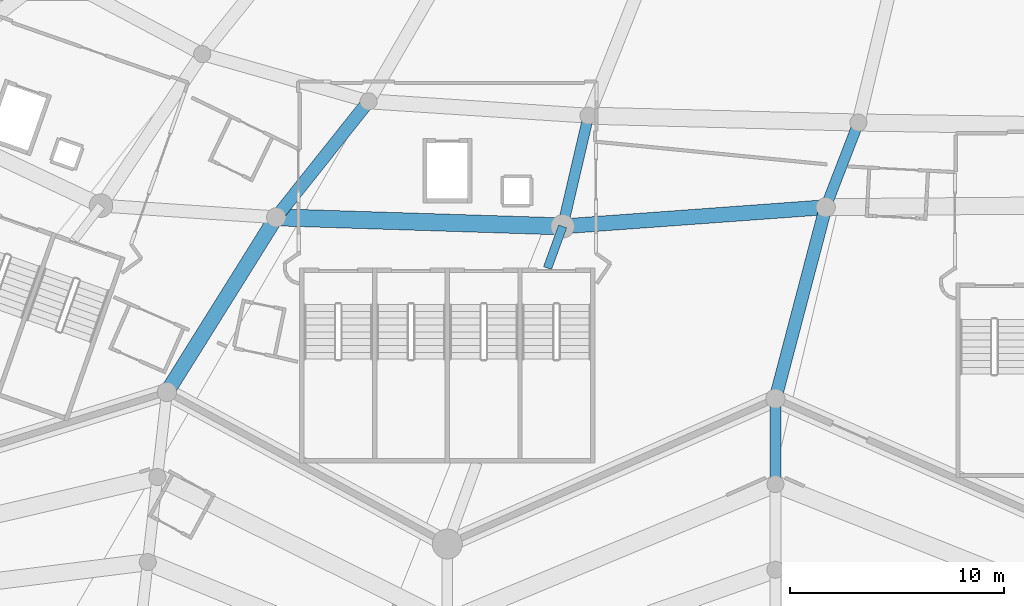
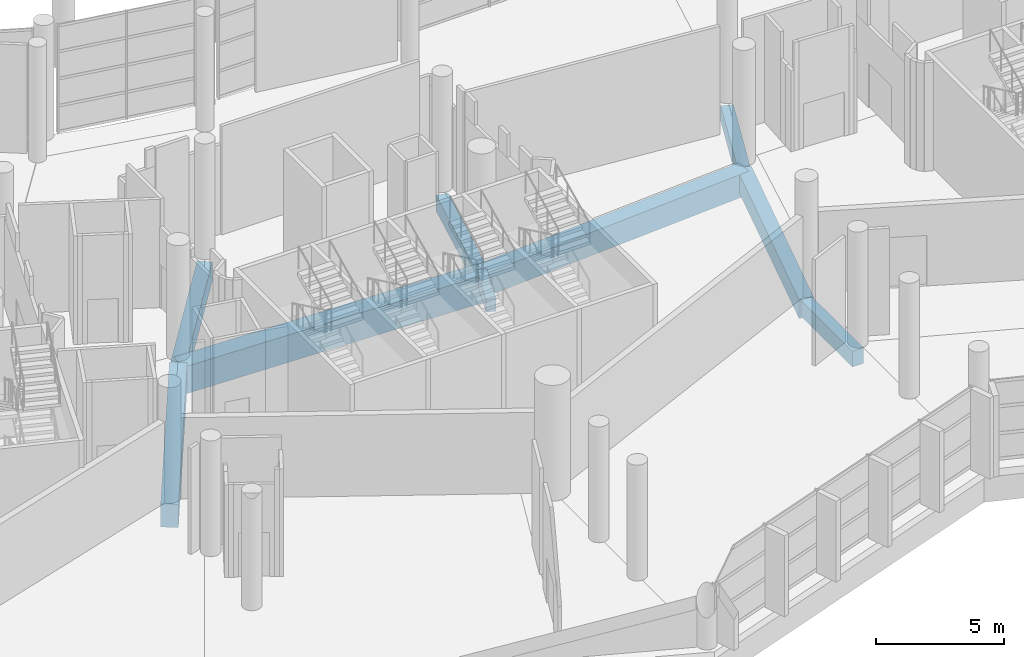
# One storey, part 20 of 271: 9 beams.
"""IFC4 building model written with IfcOpenShell, lengths in metres."""

import ifcopenshell
import ifcopenshell.guid

model = None  # the IFC model being written
_history = None  # IfcOwnerHistory: only IFC2X3 demands one
_inside = {}  # id of a spatial element -> (the spatial element, [elements in it])
_under = {}  # id of a project, library or spatial element -> (it, [spatial elements below it])
_declared = {}  # id of a project -> (the project, [libraries it declares])
_typed = {}  # id of a type object -> (the type object, [elements of that type])
_made_of = {}  # id of a material, layer set ... -> (it, [elements and type objects made of it])


def new_model(schema):
    """Start an empty IFC model of exactly this schema.

    Asked for "IFC4X3", IfcOpenShell would pick the latest addendum, in which some entities
    have other attributes; the version numbers below select the first issue.
    IFC2X3 requires an IfcOwnerHistory on every rooted entity: one is made here for all.
    """
    global model, _history
    if schema == "IFC4X3":
        model = ifcopenshell.file(schema_version=(4, 3, 0, 0))
    else:
        model = ifcopenshell.file(schema=schema)
    _inside.clear()
    _under.clear()
    _declared.clear()
    _typed.clear()
    _made_of.clear()
    _history = None
    if model.schema == "IFC2X3":
        org = make("IfcOrganization", Name="unknown")
        user = make(
            "IfcPersonAndOrganization",
            ThePerson=make("IfcPerson", FamilyName="unknown"),
            TheOrganization=org,
        )
        app = make(
            "IfcApplication",
            ApplicationDeveloper=org,
            Version="unknown",
            ApplicationFullName="unknown",
            ApplicationIdentifier="unknown",
        )
        _history = make(
            "IfcOwnerHistory",
            OwningUser=user,
            OwningApplication=app,
            ChangeAction="ADDED",
            CreationDate=0,
        )
    return model


def make(cls, **values):
    """One entity of the class cls with the attributes given. An attribute that is None is left unset."""
    return model.create_entity(
        cls, **{name: value for name, value in values.items() if value is not None}
    )


def rooted(cls, **values):
    """An entity with a GlobalId (a new one), such as an element, a storey or a relation."""
    return make(cls, GlobalId=ifcopenshell.guid.new(), OwnerHistory=_history, **values)


def si_unit(unit_type, name, prefix=None):
    """IfcSIUnit, for example si_unit("LENGTHUNIT", "METRE", prefix="MILLI")."""
    return make("IfcSIUnit", UnitType=unit_type, Prefix=prefix, Name=name)


def assignment(units):
    """IfcUnitAssignment: the units of a project."""
    return None if units is None else make("IfcUnitAssignment", Units=units)


def point(xyz):
    """IfcCartesianPoint."""
    return None if xyz is None else make("IfcCartesianPoint", Coordinates=xyz)


def direction(xyz):
    """IfcDirection."""
    return None if xyz is None else make("IfcDirection", DirectionRatios=xyz)


def frame(location, z_axis=None, x_axis=None):
    """IfcAxis2Placement3D, a coordinate frame: its origin and axes. An axis left out is left unset."""
    return make(
        "IfcAxis2Placement3D",
        Location=point(location),
        Axis=direction(z_axis),
        RefDirection=direction(x_axis),
    )


def frame_2d(location, x_axis=None):
    """IfcAxis2Placement2D, a coordinate frame in the plane: its origin and x axis."""
    return make(
        "IfcAxis2Placement2D", Location=point(location), RefDirection=direction(x_axis)
    )


def origin():
    """The frame at (0, 0, 0) with its axes left unset."""
    return frame((0.0, 0.0, 0.0))


def origin_2d():
    """The frame at (0, 0) in the plane with its x axis left unset."""
    return frame_2d((0.0, 0.0))


def place(relative_to, where):
    """IfcLocalPlacement: puts the frame where relative to a parent placement (None: the world)."""
    return make(
        "IfcLocalPlacement", PlacementRelTo=relative_to, RelativePlacement=where
    )


def context(
    kind, dimensions, precision=None, world=None, true_north=None, identifier=None
):
    """IfcGeometricRepresentationContext, for example the 3D "Model" context."""
    return make(
        "IfcGeometricRepresentationContext",
        ContextIdentifier=identifier,
        ContextType=kind,
        CoordinateSpaceDimension=dimensions,
        Precision=precision,
        WorldCoordinateSystem=world,
        TrueNorth=true_north,
    )


def subcontext(parent, identifier, kind, view, scale=None):
    """IfcGeometricRepresentationSubContext, for example "Body" below "Model"."""
    return make(
        "IfcGeometricRepresentationSubContext",
        ContextIdentifier=identifier,
        ContextType=kind,
        ParentContext=parent,
        TargetScale=scale,
        TargetView=view,
    )


def project(units=None, contexts=None):
    """IfcProject with its units and contexts."""
    return rooted(
        "IfcProject",
        Name="project",
        RepresentationContexts=contexts,
        UnitsInContext=assignment(units),
    )


def spatial(cls, under=None, at=None, **own):
    """A site, building, storey or space (cls), placed at a placement, below another one or the project."""
    s = rooted(cls, ObjectPlacement=at, **own)
    if under is not None:
        _under.setdefault(under.id(), (under, []))[1].append(s)
    return s


def profile(cls, at=None, kind="AREA", **sizes):
    """A parametric profile (cls). Its sizes go by their IFC names, for example OverallWidth=200.0."""
    return make(cls, ProfileType=kind, Position=at, **sizes)


def rectangle(**sizes):
    """IfcRectangleProfileDef."""
    return profile("IfcRectangleProfileDef", **sizes)


def extrude(swept, where, along, depth):
    """IfcExtrudedAreaSolid: the profile swept, set in the frame where, extruded along a direction by depth."""
    return make(
        "IfcExtrudedAreaSolid",
        SweptArea=swept,
        Position=where,
        ExtrudedDirection=direction(along),
        Depth=depth,
    )


def shape(context_of_items, identifier, shape_type, items):
    """IfcShapeRepresentation: the items that make up one representation, for example the "Body"."""
    return make(
        "IfcShapeRepresentation",
        ContextOfItems=context_of_items,
        RepresentationIdentifier=identifier,
        RepresentationType=shape_type,
        Items=items,
    )


def material(Name=None, Category=None):
    """IfcMaterial."""
    return make("IfcMaterial", Name=Name, Category=Category)


def material_profile(
    of_material, cross_section, Name=None, Category=None, Priority=None
):
    """IfcMaterialProfile: a cross section and its material."""
    return make(
        "IfcMaterialProfile",
        Name=Name,
        Material=of_material,
        Profile=cross_section,
        Priority=Priority,
        Category=Category,
    )


def profile_set(profiles, Name=None, composite=None):
    """IfcMaterialProfileSet."""
    return make(
        "IfcMaterialProfileSet",
        Name=Name,
        MaterialProfiles=profiles,
        CompositeProfile=composite,
    )


def made_of(thing, what):
    """Note that an element or type object is made of a material, layer set ...; save() writes the relation."""
    if what is not None:
        _made_of.setdefault(what.id(), (what, []))[1].append(thing)
    return thing


def type_object(cls, material=None, **own):
    """A type object (cls), such as IfcWallType, which elements share."""
    return made_of(rooted(cls, **own), material)


def element(
    cls,
    number,
    at=None,
    inside=None,
    cuts=None,
    type_object=None,
    material=None,
    context=None,
    identifier="Body",
    shape_type=None,
    held_by="IfcProductDefinitionShape",
    body=None,
    shapes=None,
    **own,
):
    """One element of the class cls, such as IfcWall. Its Tag is "e" and its number.

    at: its placement. inside: the storey or other place that contains it. cuts: it is an
    opening in that element (IfcRelVoidsElement). A single representation is given by context,
    identifier, shape_type and body (its items); several are given by shapes. held_by: the class
    of the entity that holds the representations. save() writes the other relations.
    """
    e = rooted(cls, Tag="e%d" % number, ObjectPlacement=at, **own)
    if body is not None:
        shapes = [shape(context, identifier, shape_type, body)]
    if shapes is not None:
        e.Representation = make(held_by, Representations=shapes)
    if inside is not None:
        _inside.setdefault(inside.id(), (inside, []))[1].append(e)
    if cuts is not None:
        rooted(
            "IfcRelVoidsElement", RelatingBuildingElement=cuts, RelatedOpeningElement=e
        )
    if type_object is not None:
        _typed.setdefault(type_object.id(), (type_object, []))[1].append(e)
    return made_of(e, material)


def aggregate(whole, parts):
    """IfcRelAggregates: a whole, such as a stair, and the parts it consists of."""
    return rooted("IfcRelAggregates", RelatingObject=whole, RelatedObjects=parts)


def save(model, path):
    """Write the relations noted so far, then the file.

    IfcRelAggregates (storeys below a building ...), IfcRelContainedInSpatialStructure (elements
    in a storey), IfcRelDefinesByType, IfcRelAssociatesMaterial and IfcRelDeclares: one each for
    every whole, place, type object, material and project.
    """
    for whole, parts in _under.values():
        aggregate(whole, parts)
    for where, things in _inside.values():
        rooted(
            "IfcRelContainedInSpatialStructure",
            RelatedElements=things,
            RelatingStructure=where,
        )
    for kind, things in _typed.values():
        rooted("IfcRelDefinesByType", RelatedObjects=things, RelatingType=kind)
    for what, things in _made_of.values():
        rooted("IfcRelAssociatesMaterial", RelatedObjects=things, RelatingMaterial=what)
    for by, libraries in _declared.values():
        rooted("IfcRelDeclares", RelatingContext=by, RelatedDefinitions=libraries)
    model.write(path)


model = new_model("IFC4")

# Units and contexts
model_context = context("Model", 3, precision=1e-05, world=origin(), true_north=direction((0.0, 1.0)))
body_context = subcontext(model_context, "Body", "Model", "MODEL_VIEW")
ifc_project = project(units=[si_unit("LENGTHUNIT", "METRE"), si_unit("AREAUNIT", "SQUARE_METRE"), si_unit("VOLUMEUNIT", "CUBIC_METRE"), si_unit("PLANEANGLEUNIT", "RADIAN"), si_unit("MASSUNIT", "GRAM", prefix="KILO")], contexts=[model_context])

# Site, building, storey
site_placement = place(None, origin())
site = spatial("IfcSite", under=ifc_project, at=site_placement, CompositionType="ELEMENT")
building_placement = place(site_placement, origin())
building = spatial("IfcBuilding", under=site, at=building_placement, Name="Meseta Stadium", CompositionType="ELEMENT")
storey_placement = place(building_placement, frame((0.0, 0.0, 6.5)))
storey = spatial("IfcBuildingStorey", under=building, at=storey_placement, Name="L01", CompositionType="ELEMENT", Elevation=6.5)

# Beams
ifc_material_1 = material(Name="Concrete C40/50", Category="concrete")
ifc_material_profile_1 = material_profile(ifc_material_1, rectangle(XDim=0.39990234375, YDim=0.60009765625, at=origin_2d()), Name="RC 400x600")
ifc_profile_set_1 = profile_set([ifc_material_profile_1], Name="Concrete C40/50")
beam_type_1 = type_object("IfcBeamType", Name="RC beam 400x600", PredefinedType="BEAM", material=ifc_profile_set_1)
beam_1_placement = place(storey_placement, frame((-32.944091796875, -90.551025390625, -0.64990234375), z_axis=(-0.341128443291, -0.940016694095, 0.0), x_axis=(0.940016694095, -0.341128443291, 0.0)))
element("IfcBeam", 1, at=beam_1_placement, inside=storey, type_object=beam_type_1, Name="L01 radial beam frame 44 line P to R", PredefinedType="BEAM", context=body_context, shape_type="SweptSolid", body=[
    extrude(rectangle(XDim=0.39990234375, YDim=0.60009765625, at=origin_2d()), origin(), (0.0, 0.0, 1.0), 2.0732421875),
])
ifc_material_2 = material(Name="Concrete C40/50", Category="concrete")
ifc_material_profile_2 = material_profile(ifc_material_2, rectangle(XDim=0.5, YDim=0.75, at=origin_2d()), Name="RC 500x750")
ifc_profile_set_2 = profile_set([ifc_material_profile_2], Name="Concrete C40/50")
beam_type_2 = type_object("IfcBeamType", Name="RC beam 500x750", PredefinedType="BEAM", material=ifc_profile_set_2)
beam_2_placement = place(storey_placement, frame((-31.73681640625, -85.376708984375, -0.72509765625), z_axis=(-0.22721799518, -0.973843921101, 0.0), x_axis=(0.973843921101, -0.22721799518, 0.0)))
element("IfcBeam", 2, at=beam_2_placement, inside=storey, type_object=beam_type_2, Name="L01 radial beam frame 44 line E to P", PredefinedType="BEAM", context=body_context, shape_type="SweptSolid", body=[
    extrude(rectangle(XDim=0.5, YDim=0.75, at=origin_2d()), origin(), (0.0, 0.0, 1.0), 5.313232421875),
])
beam_3_placement = place(storey_placement, frame((-19.11865234375, -85.6982421875, -0.72509765625), z_axis=(-0.360763299369, -0.932657408606, 0.0), x_axis=(0.932657408606, -0.360763299369, 0.0)))
element("IfcBeam", 3, at=beam_3_placement, inside=storey, type_object=beam_type_2, Name="L01 radial beam frame 45 line E to P", PredefinedType="BEAM", context=body_context, shape_type="SweptSolid", body=[
    extrude(rectangle(XDim=0.5, YDim=0.75, at=origin_2d()), origin(), (0.0, 0.0, 1.0), 4.243896484375),
])
beam_4_placement = place(storey_placement, frame((-23.0, -98.60009765625, -0.72509765625), z_axis=(0.0, -1.0, 0.0), x_axis=(1.0, 0.0, 0.0)))
element("IfcBeam", 4, at=beam_4_placement, inside=storey, type_object=beam_type_2, Name="L01 radial beam frame 45 line R to M", PredefinedType="BEAM", context=body_context, shape_type="SweptSolid", body=[
    extrude(rectangle(XDim=0.5, YDim=0.75, at=origin_2d()), origin(), (0.0, 0.0, 1.0), 4.0),
])
ifc_material_3 = material(Name="Concrete C40/50", Category="concrete")
ifc_material_profile_3 = material_profile(ifc_material_3, rectangle(XDim=0.60009765625, YDim=0.89990234375, at=origin_2d()), Name="RC 600x900")
ifc_profile_set_3 = profile_set([ifc_material_profile_3], Name="Concrete C40/50")
beam_type_3 = type_object("IfcBeamType", Name="RC beam 600x900", PredefinedType="BEAM", material=ifc_profile_set_3)
beam_5_placement = place(storey_placement, frame((-42.015380859375, -84.707275390625, -0.800048828125), z_axis=(-0.623172725644, -0.782084237159, 0.0), x_axis=(0.782084237159, -0.623172725644, 0.0)))
element("IfcBeam", 5, at=beam_5_placement, inside=storey, type_object=beam_type_3, Name="L01 radial beam frame 43 line E to P", PredefinedType="BEAM", context=body_context, shape_type="SweptSolid", body=[
    extrude(rectangle(XDim=0.60009765625, YDim=0.89990234375, at=origin_2d()), origin(), (0.0, 0.0, 1.0), 6.928955078125),
])
beam_6_placement = place(storey_placement, frame((-20.649658203125, -89.65625, -0.800048828125), z_axis=(-0.254159308712, -0.967162367855, 0.0), x_axis=(0.967162367855, -0.254159308712, 0.0)))
element("IfcBeam", 6, at=beam_6_placement, inside=storey, type_object=beam_type_3, Name="L01 radial beam frame 45 line P to R", PredefinedType="BEAM", context=body_context, shape_type="SweptSolid", body=[
    extrude(rectangle(XDim=0.60009765625, YDim=0.89990234375, at=origin_2d()), origin(), (0.0, 0.0, 1.0), 9.24755859375),
])
ifc_material_4 = material(Name="Concrete C40/50", Category="concrete")
ifc_material_profile_4 = material_profile(ifc_material_4, rectangle(XDim=0.699951171875, YDim=1.10009765625, at=origin_2d()), Name="RC 700x1100")
ifc_profile_set_4 = profile_set([ifc_material_profile_4], Name="Concrete C40/50")
beam_type_4 = type_object("IfcBeamType", Name="RC beam 700x1100", PredefinedType="BEAM", material=ifc_profile_set_4)
beam_7_placement = place(storey_placement, frame((-32.944091796875, -90.551025390625, -0.89990234375), z_axis=(0.99736209032, 0.072586918881, 0.0), x_axis=(-0.072586918881, 0.99736209032, 0.0)))
element("IfcBeam", 7, at=beam_7_placement, inside=storey, type_object=beam_type_4, Name="L01 ring beam frame 44 line P", PredefinedType="BEAM", context=body_context, shape_type="SweptSolid", body=[
    extrude(rectangle(XDim=0.699951171875, YDim=1.10009765625, at=origin_2d()), origin(), (0.0, 0.0, 1.0), 12.326904296875),
])
beam_8_placement = place(storey_placement, frame((-46.333251953125, -90.126220703125, -0.89990234375), z_axis=(-0.530224433937, -0.847857328597, 0.0), x_axis=(0.847857328597, -0.530224433937, 0.0)))
element("IfcBeam", 8, at=beam_8_placement, inside=storey, type_object=beam_type_4, Name="L01 radial beam frame 43 line P to R", PredefinedType="BEAM", context=body_context, shape_type="SweptSolid", body=[
    extrude(rectangle(XDim=0.699951171875, YDim=1.10009765625, at=origin_2d()), origin(), (0.0, 0.0, 1.0), 9.634033203125),
])
ifc_material_5 = material(Name="Concrete C40/50", Category="concrete")
ifc_material_profile_5 = material_profile(ifc_material_5, rectangle(XDim=0.800048828125, YDim=1.300048828125, at=origin_2d()), Name="RC 800x1300")
ifc_profile_set_5 = profile_set([ifc_material_profile_5], Name="Concrete C40/50")
beam_type_5 = type_object("IfcBeamType", Name="RC beam 800x1300", PredefinedType="BEAM", material=ifc_profile_set_5)
beam_9_placement = place(storey_placement, frame((-46.333251953125, -90.126220703125, -1.0), z_axis=(0.999497062289, -0.031711551154, 0.0), x_axis=(0.031711551154, 0.999497062289, 0.0)))
element("IfcBeam", 9, at=beam_9_placement, inside=storey, type_object=beam_type_5, Name="L01 ring beam frame 43 line P", PredefinedType="BEAM", context=body_context, shape_type="SweptSolid", body=[
    extrude(rectangle(XDim=0.800048828125, YDim=1.300048828125, at=origin_2d()), origin(), (0.0, 0.0, 1.0), 13.39599609375),
])

save(model, "model.ifc")
